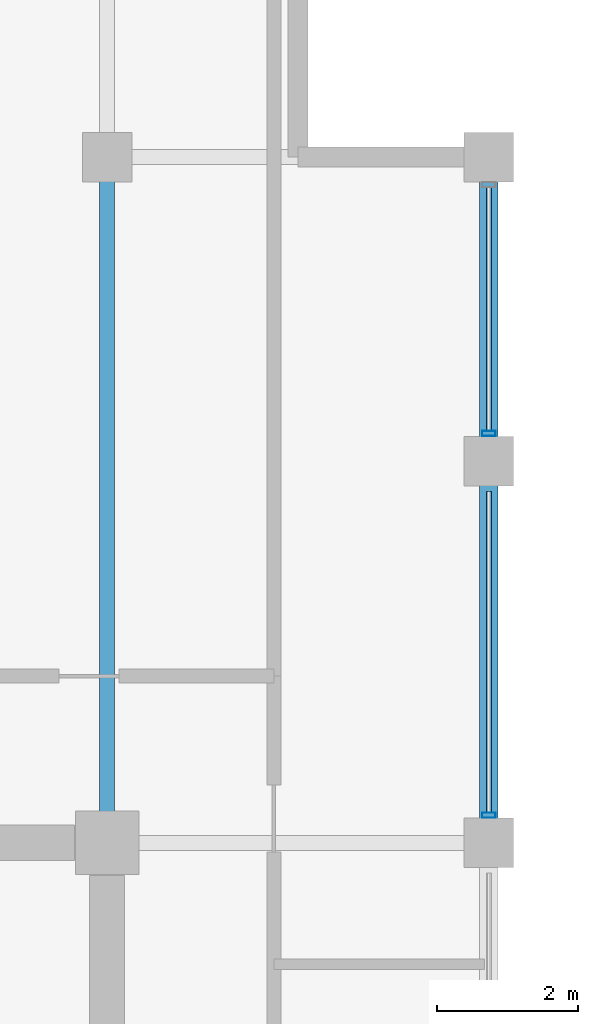
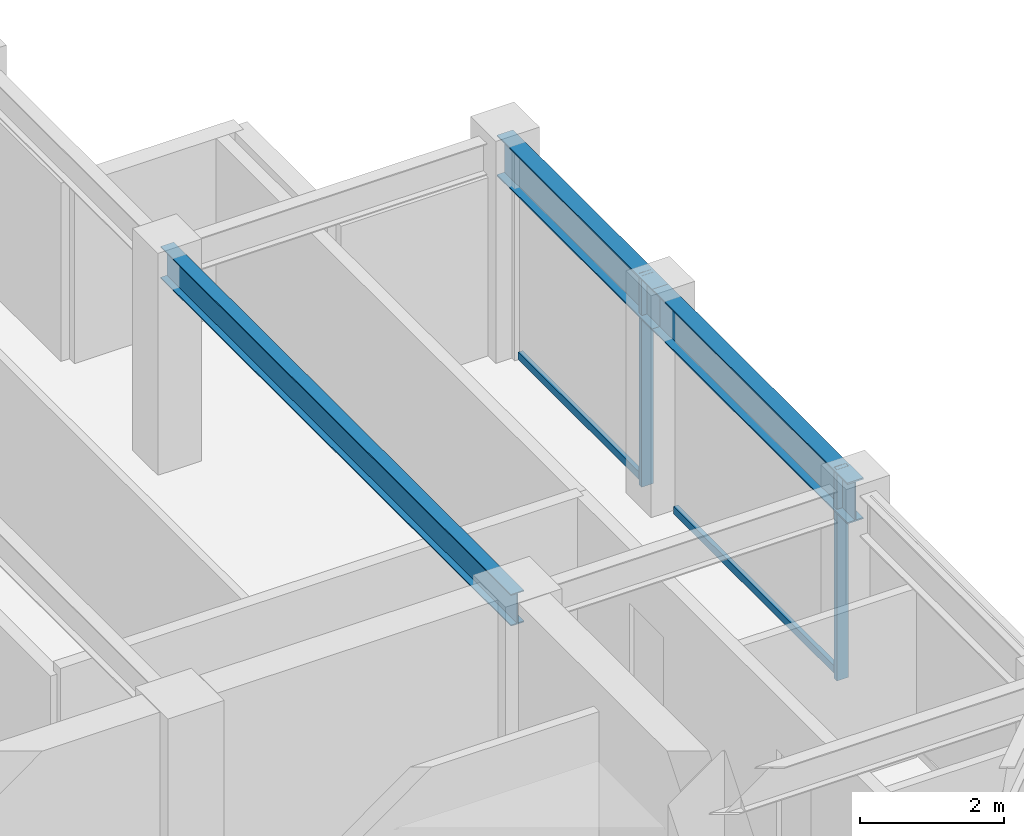
# One storey, part 19 of 31: 4 members, 3 beams, 1 element without a shape of its own.
"""IFC4 building model written with IfcOpenShell, lengths in metres."""

from ifc_helpers import new_model, si_unit, direction, frame, origin, origin_2d, place, context, subcontext, project, spatial, hollow_rectangle, i_section, extrude, material, layer, layer_set, material_profile, profile_set, type_object, element, aggregate, save


model = new_model("IFC4")

# Units and contexts
model_context = context("Model", 3, precision=1e-05, world=origin(), true_north=direction((0.0, 1.0)))
body_context = subcontext(model_context, "Body", "Model", "MODEL_VIEW")
ifc_project = project(units=[si_unit("LENGTHUNIT", "METRE"), si_unit("AREAUNIT", "SQUARE_METRE"), si_unit("VOLUMEUNIT", "CUBIC_METRE"), si_unit("PLANEANGLEUNIT", "RADIAN"), si_unit("MASSUNIT", "GRAM", prefix="KILO")], contexts=[model_context])

# Site, building, storey
site_placement = place(None, origin())
site = spatial("IfcSite", under=ifc_project, at=site_placement, CompositionType="ELEMENT")
building_placement = place(site_placement, origin())
building = spatial("IfcBuilding", under=site, at=building_placement, Name="Surkhivell Harbour Commons", CompositionType="ELEMENT")
storey_placement = place(building_placement, frame((0.0, 0.0, 315.0)))
storey = spatial("IfcBuildingStorey", under=building, at=storey_placement, Name="L82", CompositionType="ELEMENT", Elevation=315.0)

# Beams
ifc_material_1 = material(Name="Steel S355", Category="steel")
ifc_material_profile_1 = material_profile(ifc_material_1, i_section(OverallWidth=0.2099609375, OverallDepth=0.537109375, WebThickness=0.0107421875, FlangeThickness=0.017333984375, at=origin_2d()), Name="UB533x210x101")
ifc_profile_set_1 = profile_set([ifc_material_profile_1], Name="Steel S355")
beam_type_1 = type_object("IfcBeamType", Name="BM-GRD-533B", PredefinedType="BEAM", material=ifc_profile_set_1)
beam_1_placement = place(storey_placement, frame((10.800048828125, 10.800048828125, 3.301513671875), z_axis=(0.0, 1.0, 0.0), x_axis=(-1.0, 0.0, 0.0)))
element("IfcBeam", 1, at=beam_1_placement, inside=storey, type_object=beam_type_1, Name="L82 Floor Girder (10.8,10.8)", PredefinedType="BEAM", context=body_context, shape_type="SweptSolid", body=[
    extrude(i_section(OverallWidth=0.2099609375, OverallDepth=0.537109375, WebThickness=0.0107421875, FlangeThickness=0.017333984375, at=origin_2d()), origin(), (0.0, 0.0, 1.0), 9.699951171875),
])
ifc_material_profile_2 = material_profile(ifc_material_1, i_section(OverallWidth=0.256103515625, OverallDepth=0.693115234375, WebThickness=0.014404296875, FlangeThickness=0.023681640625, at=origin_2d()), Name="UB686x254x170")
ifc_profile_set_2 = profile_set([ifc_material_profile_2], Name="Steel S355")
beam_type_2 = type_object("IfcBeamType", Name="BM-SPN-686", PredefinedType="SPANDREL", material=ifc_profile_set_2)
beam_2_placement = place(storey_placement, frame((16.199951171875, 10.800048828125, 3.223388671875), z_axis=(0.0, 1.0, 0.0), x_axis=(-1.0, 0.0, 0.0)))
element("IfcBeam", 2, at=beam_2_placement, inside=storey, type_object=beam_type_2, Name="L82 Tube Spandrel (16.2,10.8)", PredefinedType="SPANDREL", context=body_context, shape_type="SweptSolid", body=[
    extrude(i_section(OverallWidth=0.256103515625, OverallDepth=0.693115234375, WebThickness=0.014404296875, FlangeThickness=0.023681640625, at=origin_2d()), origin(), (0.0, 0.0, 1.0), 5.39990234375),
])
beam_3_placement = place(storey_placement, frame((16.199951171875, 16.199951171875, 3.223388671875), z_axis=(0.0, 1.0, 0.0), x_axis=(-1.0, 0.0, 0.0)))
element("IfcBeam", 3, at=beam_3_placement, inside=storey, type_object=beam_type_2, Name="L82 Tube Spandrel (16.2,16.2)", PredefinedType="SPANDREL", context=body_context, shape_type="SweptSolid", body=[
    extrude(i_section(OverallWidth=0.256103515625, OverallDepth=0.693115234375, WebThickness=0.014404296875, FlangeThickness=0.023681640625, at=origin_2d()), origin(), (0.0, 0.0, 1.0), 4.300048828125),
])

# Curtain wall, members
ifc_material_2 = material(Name="Anodised pale-metal aluminium and insulated glazing", Category="aluminium")
ifc_layer = layer(ifc_material_2, 0.175048828125)
ifc_layer_set = layer_set([ifc_layer], Name="Anodised pale-metal aluminium and insulated glazing")
curtain_wall_type = type_object("IfcCurtainWallType", Name="CW-SYS-Z4", PredefinedType="NOTDEFINED", material=ifc_layer_set)
curtain_wall_placement = place(storey_placement, origin())
curtain_wall = element("IfcCurtainWall", 4, at=curtain_wall_placement, inside=storey, type_object=curtain_wall_type, Name="L82 Curtain Wall CW-L82-E02R1", PredefinedType="NOTDEFINED")
ifc_material_3 = material(Name="Anodised pale-metal aluminium alloy 6063-T6", Category="aluminium")
ifc_material_profile_3 = material_profile(ifc_material_3, hollow_rectangle(XDim=0.074951171875, YDim=0.18994140625, WallThickness=0.00390625, at=origin_2d()), Name="ALU-MULL-75x190")
ifc_profile_set_3 = profile_set([ifc_material_profile_3], Name="Anodised pale-metal aluminium alloy 6063-T6")
member_type_1 = type_object("IfcMemberType", Name="CWM-190", PredefinedType="MULLION", material=ifc_profile_set_3)
member_1_placement = place(storey_placement, frame((16.199951171875, 11.189453125, 0.0), z_axis=(0.0, 0.0, 1.0), x_axis=(0.0, 1.0, 0.0)))
member_1 = element("IfcMember", 5, at=member_1_placement, type_object=member_type_1, Name="CW-Z4 mullion 3", PredefinedType="MULLION", context=body_context, shape_type="SweptSolid", body=[
    extrude(hollow_rectangle(XDim=0.074951171875, YDim=0.18994140625, WallThickness=0.00390625, at=origin_2d()), origin(), (0.0, 0.0, 1.0), 3.570068359375),
])
member_2_placement = place(storey_placement, frame((16.199951171875, 16.589599609375, 0.0), z_axis=(0.0, 0.0, 1.0), x_axis=(0.0, 1.0, 0.0)))
member_2 = element("IfcMember", 6, at=member_2_placement, type_object=member_type_1, Name="CW-Z4 mullion 4", PredefinedType="MULLION", context=body_context, shape_type="SweptSolid", body=[
    extrude(hollow_rectangle(XDim=0.074951171875, YDim=0.18994140625, WallThickness=0.00390625, at=origin_2d()), origin(), (0.0, 0.0, 1.0), 3.570068359375),
])
ifc_material_4 = material(Name="Champagne anodised aluminium alloy 6063-T6", Category="aluminium")
ifc_material_profile_4 = material_profile(ifc_material_4, hollow_rectangle(XDim=0.070068359375, YDim=0.1298828125, WallThickness=0.00341796875, at=origin_2d()), Name="ALU-TRAN-70x130")
ifc_profile_set_4 = profile_set([ifc_material_profile_4], Name="Champagne anodised aluminium alloy 6063-T6")
member_type_2 = type_object("IfcMemberType", Name="CWT-130", PredefinedType="USERDEFINED", material=ifc_profile_set_4)
member_3_placement = place(storey_placement, frame((16.199951171875, 11.22705078125, 0.06494140625), z_axis=(0.0, 1.0, 0.0), x_axis=(-1.0, 0.0, 0.0)))
member_3 = element("IfcMember", 7, at=member_3_placement, type_object=member_type_2, Name="CW-Z4 transom 3.1", ObjectType="TRANSOM", PredefinedType="USERDEFINED", context=body_context, shape_type="SweptSolid", body=[
    extrude(hollow_rectangle(XDim=0.070068359375, YDim=0.1298828125, WallThickness=0.00341796875, at=origin_2d()), origin(), (0.0, 0.0, 1.0), 4.5458984375),
])
member_4_placement = place(storey_placement, frame((16.199951171875, 16.626953125, 0.06494140625), z_axis=(0.0, 1.0, 0.0), x_axis=(-1.0, 0.0, 0.0)))
member_4 = element("IfcMember", 8, at=member_4_placement, type_object=member_type_2, Name="CW-Z4 transom 4.1", ObjectType="TRANSOM", PredefinedType="USERDEFINED", context=body_context, shape_type="SweptSolid", body=[
    extrude(hollow_rectangle(XDim=0.070068359375, YDim=0.1298828125, WallThickness=0.00341796875, at=origin_2d()), origin(), (0.0, 0.0, 1.0), 3.446044921875),
])
aggregate(curtain_wall, [member_1, member_3, member_2, member_4])

save(model, "model.ifc")
